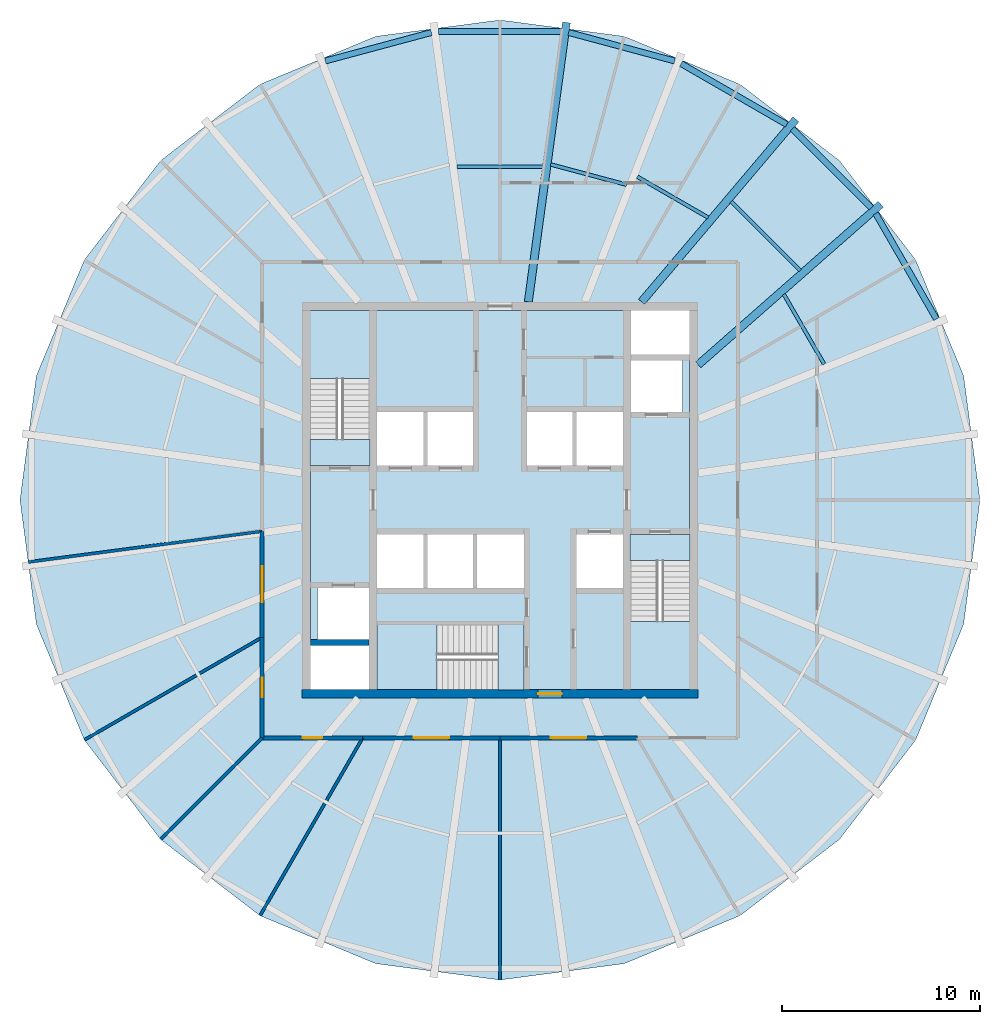
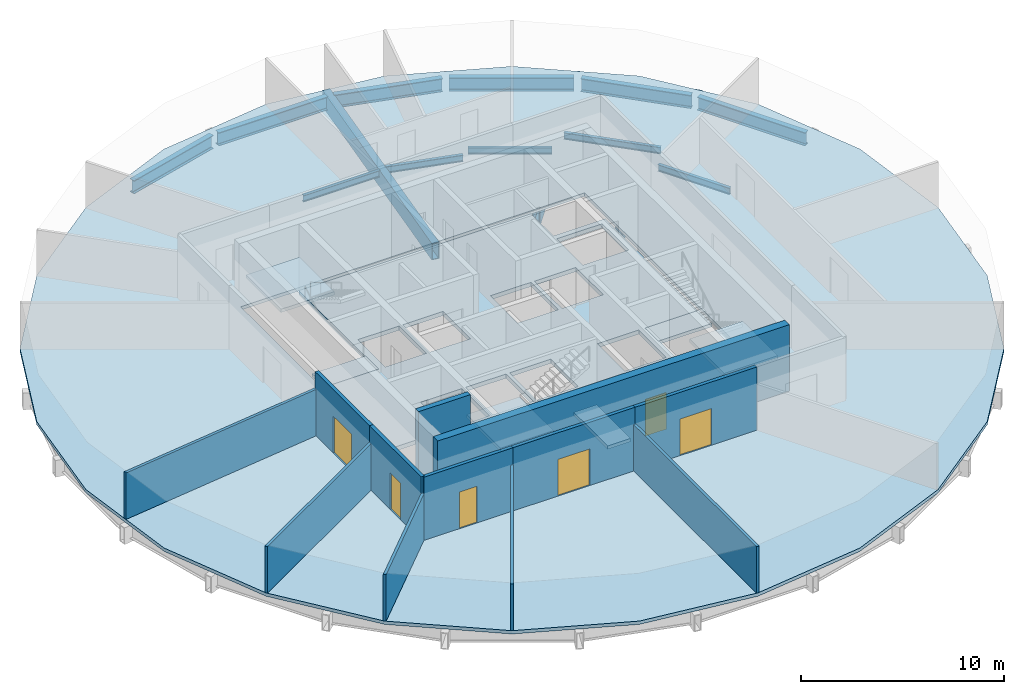
# One storey, part 2 of 6: 14 beams, 12 walls, 8 slabs, 6 doors, 6 openings, 3 elements without a shape of their own.
"""IFC4 building model written with IfcOpenShell, lengths in metres."""

from ifc_helpers import new_model, si_unit, direction, frame, frame_2d, origin, origin_2d, place, context, subcontext, project, spatial, polyline, rectangle, hollow_rectangle, i_section, outline, extrude, material, layer, layer_set, material_profile, profile_set, type_object, element, fill, aggregate, save


model = new_model("IFC4")

# Units and contexts
model_context = context("Model", 3, precision=1e-05, world=origin(), true_north=direction((0.0, 1.0)))
body_context = subcontext(model_context, "Body", "Model", "MODEL_VIEW")
ifc_project = project(units=[si_unit("LENGTHUNIT", "METRE"), si_unit("AREAUNIT", "SQUARE_METRE"), si_unit("VOLUMEUNIT", "CUBIC_METRE"), si_unit("PLANEANGLEUNIT", "RADIAN"), si_unit("MASSUNIT", "GRAM", prefix="KILO")], contexts=[model_context])

# Site, building, storey
site_placement = place(None, origin())
site = spatial("IfcSite", under=ifc_project, at=site_placement, CompositionType="ELEMENT")
building_placement = place(site_placement, origin())
building = spatial("IfcBuilding", under=site, at=building_placement, Name="Golbaran Civic Tower", CompositionType="ELEMENT")
storey_placement = place(building_placement, frame((0.0, 0.0, 159.0)))
storey = spatial("IfcBuildingStorey", under=building, at=storey_placement, Name="L38", CompositionType="ELEMENT", Elevation=159.0)

# Beams
ifc_material_1 = material(Name="Steel S355", Category="steel")
ifc_material_profile_1 = material_profile(ifc_material_1, i_section(OverallWidth=0.300048828125, OverallDepth=0.800048828125, WebThickness=0.017578125, FlangeThickness=0.032958984375, FilletRadius=0.030029296875, at=origin_2d()), Name="HEB 800")
ifc_profile_set_1 = profile_set([ifc_material_profile_1], Name="Steel S355")
beam_type_1 = type_object("IfcBeamType", Name="EDGE BEAM HEB 800", PredefinedType="BEAM", material=ifc_profile_set_1)
beam_1_placement = place(storey_placement, frame((22.02197265625, 9.131103515625, -0.60009765625), z_axis=(-0.498909281088, 0.8666542155, 0.0), x_axis=(-0.8666542155, -0.498909281088, 0.0)))
element("IfcBeam", 1, at=beam_1_placement, inside=storey, type_object=beam_type_1, Name="Edge beam 22.08 L38", PredefinedType="BEAM", context=body_context, shape_type="SweptSolid", body=[
    extrude(i_section(OverallWidth=0.300048828125, OverallDepth=0.800048828125, WebThickness=0.017578125, FlangeThickness=0.032958984375, FilletRadius=0.030029296875, at=origin_2d()), origin(), (0.0, 0.0, 1.0), 6.144287109375),
])
beam_2_placement = place(storey_placement, frame((18.737548828125, 14.742919921875, -0.60009765625), z_axis=(-0.706824793148, 0.707388656815, 0.0), x_axis=(-0.707388656815, -0.706824793148, 0.0)))
element("IfcBeam", 2, at=beam_2_placement, inside=storey, type_object=beam_type_1, Name="Edge beam 37.92 L38", PredefinedType="BEAM", context=body_context, shape_type="SweptSolid", body=[
    extrude(i_section(OverallWidth=0.300048828125, OverallDepth=0.800048828125, WebThickness=0.017578125, FlangeThickness=0.032958984375, FilletRadius=0.030029296875, at=origin_2d()), origin(), (0.0, 0.0, 1.0), 5.628662109375),
])
beam_3_placement = place(storey_placement, frame((14.472900390625, 18.94384765625, -0.60009765625), z_axis=(-0.866307134844, 0.499511709691, 0.0), x_axis=(-0.499511709691, -0.866307134844, 0.0)))
element("IfcBeam", 3, at=beam_3_placement, inside=storey, type_object=beam_type_1, Name="Edge beam 52.08 L38", PredefinedType="BEAM", context=body_context, shape_type="SweptSolid", body=[
    extrude(i_section(OverallWidth=0.300048828125, OverallDepth=0.800048828125, WebThickness=0.017578125, FlangeThickness=0.032958984375, FilletRadius=0.030029296875, at=origin_2d()), origin(), (0.0, 0.0, 1.0), 6.151611328125),
])
beam_4_placement = place(storey_placement, frame((8.811279296875, 22.154541015625, -0.60009765625), z_axis=(-0.965829642791, 0.259177740377, 0.0), x_axis=(-0.259177740377, -0.965829642791, 0.0)))
element("IfcBeam", 4, at=beam_4_placement, inside=storey, type_object=beam_type_1, Name="Edge beam 67.92 L38", PredefinedType="BEAM", context=body_context, shape_type="SweptSolid", body=[
    extrude(i_section(OverallWidth=0.300048828125, OverallDepth=0.800048828125, WebThickness=0.017578125, FlangeThickness=0.032958984375, FilletRadius=0.030029296875, at=origin_2d()), origin(), (0.0, 0.0, 1.0), 5.53515625),
])
beam_5_placement = place(storey_placement, frame((3.1083984375, 23.63623046875, -0.60009765625), z_axis=(-1.0, 0.0, 0.0), x_axis=(0.0, -1.0, 0.0)))
element("IfcBeam", 5, at=beam_5_placement, inside=storey, type_object=beam_type_1, Name="Edge beam 82.08 L38", PredefinedType="BEAM", context=body_context, shape_type="SweptSolid", body=[
    extrude(i_section(OverallWidth=0.300048828125, OverallDepth=0.800048828125, WebThickness=0.017578125, FlangeThickness=0.032958984375, FilletRadius=0.030029296875, at=origin_2d()), origin(), (0.0, 0.0, 1.0), 6.216796875),
])
beam_6_placement = place(storey_placement, frame((-3.46533203125, 23.589111328125, -0.60009765625), z_axis=(-0.965829642791, -0.259177740377, 0.0), x_axis=(0.259177740377, -0.965829642791, 0.0)))
element("IfcBeam", 6, at=beam_6_placement, inside=storey, type_object=beam_type_1, Name="Edge beam 97.92 L38", PredefinedType="BEAM", context=body_context, shape_type="SweptSolid", body=[
    extrude(i_section(OverallWidth=0.300048828125, OverallDepth=0.800048828125, WebThickness=0.017578125, FlangeThickness=0.032958984375, FilletRadius=0.030029296875, at=origin_2d()), origin(), (0.0, 0.0, 1.0), 5.53515625),
])
ifc_material_profile_2 = material_profile(ifc_material_1, i_section(OverallWidth=0.179931640625, OverallDepth=0.39990234375, WebThickness=0.008544921875, FlangeThickness=0.013427734375, FilletRadius=0.02099609375, at=origin_2d()), Name="IPE 400")
ifc_profile_set_2 = profile_set([ifc_material_profile_2], Name="Steel S355")
beam_type_2 = type_object("IfcBeamType", Name="FLOOR INFILL BEAM IPE 400", PredefinedType="BEAM", material=ifc_profile_set_2)
beam_7_placement = place(storey_placement, frame((16.361083984375, 6.85009765625, -0.39990234375), z_axis=(-0.500028214158, 0.86600911372, 0.0), x_axis=(-0.86600911372, -0.500028214158, 0.0)))
element("IfcBeam", 7, at=beam_7_placement, inside=storey, type_object=beam_type_2, Name="Infill beam 30.00 L38", PredefinedType="BEAM", context=body_context, shape_type="SweptSolid", body=[
    extrude(i_section(OverallWidth=0.179931640625, OverallDepth=0.39990234375, WebThickness=0.008544921875, FlangeThickness=0.013427734375, FilletRadius=0.02099609375, at=origin_2d()), origin(), (0.0, 0.0, 1.0), 4.077880859375),
])
beam_8_placement = place(storey_placement, frame((15.151123046875, 11.58984375, -0.39990234375), z_axis=(-0.707081991733, 0.707131569772, 0.0), x_axis=(-0.707131569772, -0.707081991733, 0.0)))
element("IfcBeam", 8, at=beam_8_placement, inside=storey, type_object=beam_type_2, Name="Infill beam 45.00 L38", PredefinedType="BEAM", context=body_context, shape_type="SweptSolid", body=[
    extrude(i_section(OverallWidth=0.179931640625, OverallDepth=0.39990234375, WebThickness=0.008544921875, FlangeThickness=0.013427734375, FilletRadius=0.02099609375, at=origin_2d()), origin(), (0.0, 0.0, 1.0), 4.92431640625),
])
beam_9_placement = place(storey_placement, frame((10.50341796875, 14.25146484375, -0.39990234375), z_axis=(-0.866027928545, 0.499995626961, 0.0), x_axis=(-0.499995626961, -0.866027928545, 0.0)))
element("IfcBeam", 9, at=beam_9_placement, inside=storey, type_object=beam_type_2, Name="Infill beam 60.00 L38", PredefinedType="BEAM", context=body_context, shape_type="SweptSolid", body=[
    extrude(i_section(OverallWidth=0.179931640625, OverallDepth=0.39990234375, WebThickness=0.008544921875, FlangeThickness=0.013427734375, FilletRadius=0.02099609375, at=origin_2d()), origin(), (0.0, 0.0, 1.0), 4.1259765625),
])
beam_10_placement = place(storey_placement, frame((6.385498046875, 15.90625, -0.39990234375), z_axis=(-0.965929632268, 0.258804840578, 0.0), x_axis=(-0.258804840578, -0.965929632268, 0.0)))
element("IfcBeam", 10, at=beam_10_placement, inside=storey, type_object=beam_type_2, Name="Infill beam 75.00 L38", PredefinedType="BEAM", context=body_context, shape_type="SweptSolid", body=[
    extrude(i_section(OverallWidth=0.179931640625, OverallDepth=0.39990234375, WebThickness=0.008544921875, FlangeThickness=0.013427734375, FilletRadius=0.02099609375, at=origin_2d()), origin(), (0.0, 0.0, 1.0), 3.9638671875),
])
beam_11_placement = place(storey_placement, frame((2.177734375, 16.818115234375, -0.39990234375), z_axis=(-1.0, 0.0, 0.0), x_axis=(0.0, -1.0, 0.0)))
element("IfcBeam", 11, at=beam_11_placement, inside=storey, type_object=beam_type_2, Name="Infill beam 90.00 L38", PredefinedType="BEAM", context=body_context, shape_type="SweptSolid", body=[
    extrude(i_section(OverallWidth=0.179931640625, OverallDepth=0.39990234375, WebThickness=0.008544921875, FlangeThickness=0.013427734375, FilletRadius=0.02099609375, at=origin_2d()), origin(), (0.0, 0.0, 1.0), 4.35546875),
])
ifc_material_profile_3 = material_profile(ifc_material_1, hollow_rectangle(XDim=0.39990234375, YDim=1.0, WallThickness=0.050048828125, at=origin_2d()), Name="BOX 1000x400x50")
ifc_profile_set_3 = profile_set([ifc_material_profile_3], Name="Steel S355")
beam_type_3 = type_object("IfcBeamType", Name="RADIAL FLOOR BEAM BOX 1000x400x50", PredefinedType="BEAM", material=ifc_profile_set_3)
beam_12_placement = place(storey_placement, frame((10.0, 6.821533203125, -0.7099609375), z_axis=(0.751024067787, 0.660274828843, 0.0), x_axis=(-0.660274828843, 0.751024067787, 0.0)))
element("IfcBeam", 12, at=beam_12_placement, inside=storey, type_object=beam_type_3, Name="Radial beam 37.92 L38", PredefinedType="BEAM", context=body_context, shape_type="SweptSolid", body=[
    extrude(hollow_rectangle(XDim=0.39990234375, YDim=1.0, WallThickness=0.050048828125, at=origin_2d()), origin(), (0.0, 0.0, 1.0), 12.270263671875),
])
beam_13_placement = place(storey_placement, frame((7.142822265625, 10.0, -0.7099609375), z_axis=(0.645841511246, 0.76347150723, 0.0), x_axis=(-0.76347150723, 0.645841511246, 0.0)))
element("IfcBeam", 13, at=beam_13_placement, inside=storey, type_object=beam_type_3, Name="Radial beam 52.08 L38", PredefinedType="BEAM", context=body_context, shape_type="SweptSolid", body=[
    extrude(hollow_rectangle(XDim=0.39990234375, YDim=1.0, WallThickness=0.050048828125, at=origin_2d()), origin(), (0.0, 0.0, 1.0), 12.060791015625),
])
beam_14_placement = place(storey_placement, frame((1.428466796875, 10.0, -0.7099609375), z_axis=(0.135270948162, 0.990808644786, 0.0), x_axis=(-0.990808644786, 0.135270948162, 0.0)))
element("IfcBeam", 14, at=beam_14_placement, inside=storey, type_object=beam_type_3, Name="Radial beam 82.08 L38", PredefinedType="BEAM", context=body_context, shape_type="SweptSolid", body=[
    extrude(hollow_rectangle(XDim=0.39990234375, YDim=1.0, WallThickness=0.050048828125, at=origin_2d()), origin(), (0.0, 0.0, 1.0), 14.2275390625),
])

# Slabs
ifc_material_2 = material(Name="Concrete LC30/33 lightweight on steel deck", Category="concrete")
ifc_layer_1 = layer(ifc_material_2, 0.199951171875, Name="Concrete LC30/33 lightweight on steel deck")
ifc_layer_set_1 = layer_set([ifc_layer_1], Name="Concrete LC30/33 lightweight on steel deck")
slab_type_1 = type_object("IfcSlabType", Name="COMPOSITE FLOOR SLAB 200", PredefinedType="FLOOR", material=ifc_layer_set_1)
slab_1_placement = place(storey_placement, frame((0.0, 0.0, -0.199951171875)))
element("IfcSlab", 15, at=slab_1_placement, inside=storey, type_object=slab_type_1, Name="Floor slab L38", PredefinedType="FLOOR", context=body_context, shape_type="SweptSolid", body=[
    extrude(outline(polyline([(20.976318359375, -12.110595703125), (17.126953125, -17.126953125), (12.110595703125, -20.976318359375), (6.26904296875, -23.39599609375), (0.0, -24.22119140625), (-6.26904296875, -23.39599609375), (-12.110595703125, -20.976318359375), (-17.126953125, -17.126953125), (-20.976318359375, -12.110595703125), (-23.39599609375, -6.26904296875), (-24.22119140625, 0.0), (-23.39599609375, 6.26904296875), (-20.976318359375, 12.110595703125), (-17.126953125, 17.126953125), (-12.110595703125, 20.976318359375), (-6.26904296875, 23.39599609375), (0.0, 24.22119140625), (6.26904296875, 23.39599609375), (12.110595703125, 20.976318359375), (17.126953125, 17.126953125), (20.976318359375, 12.110595703125), (23.39599609375, 6.26904296875), (24.22119140625, 0.0), (23.39599609375, -6.26904296875), (20.976318359375, -12.110595703125)]), holes=[polyline([(-9.77490234375, 9.77490234375), (-9.77490234375, -9.77490234375), (9.77490234375, -9.77490234375), (9.77490234375, 9.77490234375), (-9.77490234375, 9.77490234375)])]), origin(), (0.0, 0.0, 1.0), 0.199951171875),
])
ifc_material_3 = material(Name="Concrete C35/45", Category="concrete")
ifc_layer_2 = layer(ifc_material_3, 0.25, Name="Concrete C35/45")
ifc_layer_set_2 = layer_set([ifc_layer_2], Name="Concrete C35/45")
slab_type_2 = type_object("IfcSlabType", Name="CORE FLOOR SLAB 250", PredefinedType="FLOOR", material=ifc_layer_set_2)
slab_2_placement = place(storey_placement, frame((0.0, 0.0, -0.25)))
element("IfcSlab", 16, at=slab_2_placement, inside=storey, type_object=slab_type_2, Name="Core floor slab L38", PredefinedType="FLOOR", context=body_context, shape_type="SweptSolid", body=[
    extrude(outline(polyline([(6.60009765625, -1.75), (6.60009765625, -9.550048828125), (1.199951171875, -9.550048828125), (1.199951171875, -6.300048828125), (-6.199951171875, -6.300048828125), (-6.199951171875, -9.550048828125), (-6.60009765625, -9.550048828125), (-6.60009765625, -7.35009765625), (-9.550048828125, -7.35009765625), (-9.550048828125, 1.75), (-6.60009765625, 1.75), (-6.60009765625, 9.550048828125), (6.60009765625, 9.550048828125), (6.60009765625, 7.35009765625), (9.550048828125, 7.35009765625), (9.550048828125, -1.75), (6.60009765625, -1.75)]), holes=[polyline([(9.199951171875, 7.050048828125), (6.60009765625, 7.050048828125), (6.60009765625, 4.449951171875), (9.199951171875, 4.449951171875), (9.199951171875, 7.050048828125)]), polyline([(6.199951171875, -1.75), (3.85009765625, -1.75), (3.85009765625, -4.449951171875), (6.199951171875, -4.449951171875), (6.199951171875, -1.75)]), polyline([(6.199951171875, 4.449951171875), (3.85009765625, 4.449951171875), (3.85009765625, 1.75), (6.199951171875, 1.75), (6.199951171875, 4.449951171875)]), polyline([(3.64990234375, 4.449951171875), (1.35009765625, 4.449951171875), (1.35009765625, 1.75), (3.64990234375, 1.75), (3.64990234375, 4.449951171875)]), polyline([(1.199951171875, -1.75), (-1.14990234375, -1.75), (-1.14990234375, -4.449951171875), (1.199951171875, -4.449951171875), (1.199951171875, -1.75)]), polyline([(-1.35009765625, 4.449951171875), (-3.64990234375, 4.449951171875), (-3.64990234375, 1.75), (-1.35009765625, 1.75), (-1.35009765625, 4.449951171875)]), polyline([(-1.35009765625, -1.75), (-3.64990234375, -1.75), (-3.64990234375, -4.449951171875), (-1.35009765625, -4.449951171875), (-1.35009765625, -1.75)]), polyline([(-3.85009765625, -1.75), (-6.199951171875, -1.75), (-6.199951171875, -4.449951171875), (-3.85009765625, -4.449951171875), (-3.85009765625, -1.75)]), polyline([(-3.85009765625, 4.449951171875), (-6.199951171875, 4.449951171875), (-6.199951171875, 1.75), (-3.85009765625, 1.75), (-3.85009765625, 4.449951171875)]), polyline([(-6.60009765625, -4.449951171875), (-9.199951171875, -4.449951171875), (-9.199951171875, -7.050048828125), (-6.60009765625, -7.050048828125), (-6.60009765625, -4.449951171875)])]), origin(), (0.0, 0.0, 1.0), 0.25),
])

# Stair, slab
stair_type_1 = type_object("IfcStairType", Name="EXIT STAIR 2950 x 7800, 4000 RISE", PredefinedType="HALF_TURN_STAIR", material=ifc_material_3)
stair_1_placement = place(storey_placement, origin())
stair_1 = element("IfcStair", 17, at=stair_1_placement, inside=storey, type_object=stair_type_1, Name="Stair S1 L38", PredefinedType="HALF_TURN_STAIR")
ifc_layer_3 = layer(ifc_material_3, 0.199951171875, Name="Concrete C35/45")
ifc_layer_set_3 = layer_set([ifc_layer_3], Name="Concrete C35/45")
slab_type_3 = type_object("IfcSlabType", Name="STAIR LANDING 200", PredefinedType="LANDING", material=ifc_layer_set_3)
slab_3_placement = place(storey_placement, frame((0.0, 0.0, 1.800048828125)))
slab_3 = element("IfcSlab", 18, at=slab_3_placement, type_object=slab_type_3, Name="ST29578-40 landing 1", PredefinedType="LANDING", context=body_context, shape_type="SweptSolid", body=[
    extrude(outline(polyline([(-9.60009765625, 6.125), (-9.60009765625, 9.550048828125), (-6.550048828125, 9.550048828125), (-6.550048828125, 6.125), (-9.60009765625, 6.125)])), origin(), (0.0, 0.0, 1.0), 0.199951171875),
])
aggregate(stair_1, [slab_3])

# Slab
slab_4_placement = place(storey_placement, frame((0.0, 0.0, -0.199951171875)))
element("IfcSlab", 19, at=slab_4_placement, inside=storey, type_object=slab_type_3, Name="Stair S1 floor landing L38", PredefinedType="LANDING", context=body_context, shape_type="SweptSolid", body=[
    extrude(outline(polyline([(-9.60009765625, 1.75), (-9.60009765625, 3.054931640625), (-6.550048828125, 3.054931640625), (-6.550048828125, 1.75), (-9.60009765625, 1.75)])), origin(), (0.0, 0.0, 1.0), 0.199951171875),
])

# Stair, slab
stair_2_placement = place(storey_placement, origin())
stair_2 = element("IfcStair", 20, at=stair_2_placement, inside=storey, type_object=stair_type_1, Name="Stair S2 L38", PredefinedType="HALF_TURN_STAIR")
slab_5_placement = place(storey_placement, frame((0.0, 0.0, 1.800048828125)))
slab_5 = element("IfcSlab", 21, at=slab_5_placement, type_object=slab_type_3, Name="ST29578-40 landing 1", PredefinedType="LANDING", context=body_context, shape_type="SweptSolid", body=[
    extrude(outline(polyline([(9.60009765625, -6.125), (9.60009765625, -9.550048828125), (6.550048828125, -9.550048828125), (6.550048828125, -6.125), (9.60009765625, -6.125)])), origin(), (0.0, 0.0, 1.0), 0.199951171875),
])
aggregate(stair_2, [slab_5])

# Slab
slab_6_placement = place(storey_placement, frame((0.0, 0.0, -0.199951171875)))
element("IfcSlab", 22, at=slab_6_placement, inside=storey, type_object=slab_type_3, Name="Stair S2 floor landing L38", PredefinedType="LANDING", context=body_context, shape_type="SweptSolid", body=[
    extrude(outline(polyline([(9.60009765625, -1.75), (9.60009765625, -3.054931640625), (6.550048828125, -3.054931640625), (6.550048828125, -1.75), (9.60009765625, -1.75)])), origin(), (0.0, 0.0, 1.0), 0.199951171875),
])

# Stair, slab
stair_type_2 = type_object("IfcStairType", Name="EXIT STAIR 3250 x 7400, 4000 RISE", PredefinedType="HALF_TURN_STAIR", material=ifc_material_3)
stair_3_placement = place(storey_placement, origin())
stair_3 = element("IfcStair", 23, at=stair_3_placement, inside=storey, type_object=stair_type_2, Name="Stair S3 L38", PredefinedType="HALF_TURN_STAIR")
slab_7_placement = place(storey_placement, frame((0.0, 0.0, 1.800048828125)))
slab_7 = element("IfcSlab", 24, at=slab_7_placement, type_object=slab_type_3, Name="ST32574-40 landing 1", PredefinedType="LANDING", context=body_context, shape_type="SweptSolid", body=[
    extrude(outline(polyline([(-3.175048828125, -9.60009765625), (-6.199951171875, -9.60009765625), (-6.199951171875, -6.25), (-3.175048828125, -6.25), (-3.175048828125, -9.60009765625)])), origin(), (0.0, 0.0, 1.0), 0.199951171875),
])
aggregate(stair_3, [slab_7])

# Slab
slab_8_placement = place(storey_placement, frame((0.0, 0.0, -0.199951171875)))
element("IfcSlab", 25, at=slab_8_placement, inside=storey, type_object=slab_type_3, Name="Stair S3 floor landing L38", PredefinedType="LANDING", context=body_context, shape_type="SweptSolid", body=[
    extrude(outline(polyline([(1.199951171875, -9.60009765625), (-0.10498046875, -9.60009765625), (-0.10498046875, -6.25), (1.199951171875, -6.25), (1.199951171875, -9.60009765625)])), origin(), (0.0, 0.0, 1.0), 0.199951171875),
])

# Wall, opening, door
ifc_material_4 = material(Name="Concrete C50/60", Category="concrete")
ifc_layer_4 = layer(ifc_material_4, 0.449951171875, Name="Concrete C50/60")
ifc_layer_set_4 = layer_set([ifc_layer_4], Name="Concrete C50/60")
wall_type_1 = type_object("IfcWallType", Name="CORE WALL CONCRETE 450", PredefinedType="SOLIDWALL", material=ifc_layer_set_4)
wall_1_placement = place(storey_placement, frame((10.0, -9.77490234375, 0.0), z_axis=(0.0, 0.0, 1.0), x_axis=(-1.0, 0.0, 0.0)))
wall_1 = element("IfcWall", 26, at=wall_1_placement, inside=storey, type_object=wall_type_1, Name="Core wall CS L38", PredefinedType="SOLIDWALL", context=body_context, shape_type="SweptSolid", body=[
    extrude(rectangle(XDim=20.0, YDim=0.449951171875, at=frame_2d((10.0, 0.0))), origin(), (0.0, 0.0, 1.0), 4.0),
])
opening_1_placement = place(wall_1_placement, frame((6.875, 0.0, 0.0)))
opening_1 = element("IfcOpeningElement", 27, at=opening_1_placement, cuts=wall_1, Name="Opening L38.CS", PredefinedType="OPENING", context=body_context, shape_type="SweptSolid", body=[
    extrude(rectangle(XDim=1.199951171875, YDim=2.199951171875, at=frame_2d((0.60009765625, 1.10009765625))), frame((0.0, 0.23486328125, 0.0), z_axis=(0.0, -1.0, 0.0), x_axis=(1.0, 0.0, 0.0)), (0.0, 0.0, 1.0), 0.469970703125),
])
ifc_material_5 = material(Name="Timber door set in steel frame", Category="steel")
door_type_1 = type_object("IfcDoorType", Name="CORE DOOR 1200x2200", OperationType="DOUBLE_DOOR_SINGLE_SWING", PredefinedType="DOOR", material=ifc_material_5)
door_1_placement = place(opening_1_placement, origin())
door_1 = element("IfcDoor", 28, at=door_1_placement, inside=storey, type_object=door_type_1, Name="Core door south", OperationType="DOUBLE_DOOR_SINGLE_SWING", OverallHeight=2.199951171875, OverallWidth=1.199951171875, PredefinedType="DOOR", context=body_context, shape_type="SweptSolid", body=[
    extrude(rectangle(XDim=1.199951171875, YDim=2.199951171875, at=frame_2d((0.60009765625, 1.10009765625))), frame((0.0, 0.02490234375, 0.0), z_axis=(0.0, -1.0, 0.0), x_axis=(1.0, 0.0, 0.0)), (0.0, 0.0, 1.0), 0.050048828125),
])
fill(opening_1, door_1)

ifc_material_6 = material(Name="Gypsum board on steel studs, fire-rated", Category="steel")
ifc_layer_5 = layer(ifc_material_6, 0.199951171875, Name="Gypsum board on steel studs, fire-rated")
ifc_layer_set_5 = layer_set([ifc_layer_5], Name="Gypsum board on steel studs, fire-rated")
wall_type_2 = type_object("IfcWallType", Name="CORRIDOR WALL 200", PredefinedType="PARTITIONING", material=ifc_layer_set_5)
wall_2_placement = place(storey_placement, frame((-12.0, -1.579833984375, 0.0), z_axis=(0.0, 0.0, 1.0), x_axis=(0.0, -1.0, 0.0)))
wall_2 = element("IfcWall", 29, at=wall_2_placement, inside=storey, type_object=wall_type_2, Name="Corridor wall L38", PredefinedType="PARTITIONING", context=body_context, shape_type="SweptSolid", body=[
    extrude(rectangle(XDim=5.348388671875, YDim=0.199951171875, at=frame_2d((2.67431640625, 0.0))), origin(), (0.0, 0.0, 1.0), 3.800048828125),
])
opening_2_placement = place(wall_2_placement, frame((1.774169921875, 0.0, 0.0)))
opening_2 = element("IfcOpeningElement", 30, at=opening_2_placement, cuts=wall_2, Name="Opening L38.13", PredefinedType="OPENING", context=body_context, shape_type="SweptSolid", body=[
    extrude(rectangle(XDim=1.800048828125, YDim=2.199951171875, at=frame_2d((0.89990234375, 1.10009765625))), frame((0.0, 0.10986328125, 0.0), z_axis=(0.0, -1.0, 0.0), x_axis=(1.0, 0.0, 0.0)), (0.0, 0.0, 1.0), 0.219970703125),
])
door_type_2 = type_object("IfcDoorType", Name="OFFICE DOUBLE DOOR 1800x2200", OperationType="DOUBLE_DOOR_SINGLE_SWING", PredefinedType="DOOR", material=ifc_material_5)
door_2_placement = place(opening_2_placement, origin())
door_2 = element("IfcDoor", 31, at=door_2_placement, inside=storey, type_object=door_type_2, Name="Data and Statistics Office door L38", OperationType="DOUBLE_DOOR_SINGLE_SWING", OverallHeight=2.199951171875, OverallWidth=1.800048828125, PredefinedType="DOOR", context=body_context, shape_type="SweptSolid", body=[
    extrude(rectangle(XDim=1.800048828125, YDim=2.199951171875, at=frame_2d((0.89990234375, 1.10009765625))), frame((0.0, 0.02490234375, 0.0), z_axis=(0.0, -1.0, 0.0), x_axis=(1.0, 0.0, 0.0)), (0.0, 0.0, 1.0), 0.050048828125),
])
fill(opening_2, door_2)

wall_3_placement = place(storey_placement, frame((-12.0, -6.92822265625, 0.0), z_axis=(0.0, 0.0, 1.0), x_axis=(0.0, -1.0, 0.0)))
wall_3 = element("IfcWall", 32, at=wall_3_placement, inside=storey, type_object=wall_type_2, Name="Corridor wall L38", PredefinedType="PARTITIONING", context=body_context, shape_type="SweptSolid", body=[
    extrude(rectangle(XDim=5.07177734375, YDim=0.199951171875, at=frame_2d((2.535888671875, 0.0))), origin(), (0.0, 0.0, 1.0), 3.800048828125),
])
opening_3_placement = place(wall_3_placement, frame((2.035888671875, 0.0, 0.0)))
opening_3 = element("IfcOpeningElement", 33, at=opening_3_placement, cuts=wall_3, Name="Opening L38.14", PredefinedType="OPENING", context=body_context, shape_type="SweptSolid", body=[
    extrude(rectangle(XDim=1.0, YDim=2.199951171875, at=frame_2d((0.5, 1.10009765625))), frame((0.0, 0.10986328125, 0.0), z_axis=(0.0, -1.0, 0.0), x_axis=(1.0, 0.0, 0.0)), (0.0, 0.0, 1.0), 0.219970703125),
])
door_type_3 = type_object("IfcDoorType", Name="OFFICE DOOR 1000x2200", OperationType="SINGLE_SWING_LEFT", PredefinedType="DOOR", material=ifc_material_5)
door_3_placement = place(opening_3_placement, origin())
door_3 = element("IfcDoor", 34, at=door_3_placement, inside=storey, type_object=door_type_3, Name="Project Room door L38", OperationType="SINGLE_SWING_RIGHT", OverallHeight=2.199951171875, OverallWidth=1.0, PredefinedType="DOOR", context=body_context, shape_type="SweptSolid", body=[
    extrude(rectangle(XDim=1.0, YDim=2.199951171875, at=frame_2d((0.5, 1.10009765625))), frame((0.0, 0.02490234375, 0.0), z_axis=(0.0, -1.0, 0.0), x_axis=(1.0, 0.0, 0.0)), (0.0, 0.0, 1.0), 0.050048828125),
])
fill(opening_3, door_3)

wall_4_placement = place(storey_placement, frame((-12.0, -12.0, 0.0), z_axis=(0.0, 0.0, 1.0), x_axis=(1.0, 0.0, 0.0)))
wall_4 = element("IfcWall", 35, at=wall_4_placement, inside=storey, type_object=wall_type_2, Name="Corridor wall L38", PredefinedType="PARTITIONING", context=body_context, shape_type="SweptSolid", body=[
    extrude(rectangle(XDim=5.07177734375, YDim=0.199951171875, at=frame_2d((2.535888671875, 0.0))), origin(), (0.0, 0.0, 1.0), 3.800048828125),
])
opening_4_placement = place(wall_4_placement, frame((2.035888671875, 0.0, 0.0)))
opening_4 = element("IfcOpeningElement", 36, at=opening_4_placement, cuts=wall_4, Name="Opening L38.15", PredefinedType="OPENING", context=body_context, shape_type="SweptSolid", body=[
    extrude(rectangle(XDim=1.0, YDim=2.199951171875, at=frame_2d((0.5, 1.10009765625))), frame((0.0, 0.10986328125, 0.0), z_axis=(0.0, -1.0, 0.0), x_axis=(1.0, 0.0, 0.0)), (0.0, 0.0, 1.0), 0.219970703125),
])
door_4_placement = place(opening_4_placement, origin())
door_4 = element("IfcDoor", 37, at=door_4_placement, inside=storey, type_object=door_type_3, Name="Interview Room door L38", OperationType="SINGLE_SWING_LEFT", OverallHeight=2.199951171875, OverallWidth=1.0, PredefinedType="DOOR", context=body_context, shape_type="SweptSolid", body=[
    extrude(rectangle(XDim=1.0, YDim=2.199951171875, at=frame_2d((0.5, 1.10009765625))), frame((0.0, 0.02490234375, 0.0), z_axis=(0.0, -1.0, 0.0), x_axis=(1.0, 0.0, 0.0)), (0.0, 0.0, 1.0), 0.050048828125),
])
fill(opening_4, door_4)

wall_5_placement = place(storey_placement, frame((-6.92822265625, -12.0, 0.0), z_axis=(0.0, 0.0, 1.0), x_axis=(1.0, 0.0, 0.0)))
wall_5 = element("IfcWall", 38, at=wall_5_placement, inside=storey, type_object=wall_type_2, Name="Corridor wall L38", PredefinedType="PARTITIONING", context=body_context, shape_type="SweptSolid", body=[
    extrude(rectangle(XDim=6.92822265625, YDim=0.199951171875, at=frame_2d((3.464111328125, 0.0))), origin(), (0.0, 0.0, 1.0), 3.800048828125),
])
opening_5_placement = place(wall_5_placement, frame((2.564208984375, 0.0, 0.0)))
opening_5 = element("IfcOpeningElement", 39, at=opening_5_placement, cuts=wall_5, Name="Opening L38.16", PredefinedType="OPENING", context=body_context, shape_type="SweptSolid", body=[
    extrude(rectangle(XDim=1.800048828125, YDim=2.199951171875, at=frame_2d((0.89990234375, 1.10009765625))), frame((0.0, 0.10986328125, 0.0), z_axis=(0.0, -1.0, 0.0), x_axis=(1.0, 0.0, 0.0)), (0.0, 0.0, 1.0), 0.219970703125),
])
door_5_placement = place(opening_5_placement, origin())
door_5 = element("IfcDoor", 40, at=door_5_placement, inside=storey, type_object=door_type_2, Name="GIS and Mapping Office door L38", OperationType="DOUBLE_DOOR_SINGLE_SWING", OverallHeight=2.199951171875, OverallWidth=1.800048828125, PredefinedType="DOOR", context=body_context, shape_type="SweptSolid", body=[
    extrude(rectangle(XDim=1.800048828125, YDim=2.199951171875, at=frame_2d((0.89990234375, 1.10009765625))), frame((0.0, 0.02490234375, 0.0), z_axis=(0.0, -1.0, 0.0), x_axis=(1.0, 0.0, 0.0)), (0.0, 0.0, 1.0), 0.050048828125),
])
fill(opening_5, door_5)

wall_6_placement = place(storey_placement, frame((0.0, -12.0, 0.0), z_axis=(0.0, 0.0, 1.0), x_axis=(1.0, 0.0, 0.0)))
wall_6 = element("IfcWall", 41, at=wall_6_placement, inside=storey, type_object=wall_type_2, Name="Corridor wall L38", PredefinedType="PARTITIONING", context=body_context, shape_type="SweptSolid", body=[
    extrude(rectangle(XDim=6.92822265625, YDim=0.199951171875, at=frame_2d((3.464111328125, 0.0))), origin(), (0.0, 0.0, 1.0), 3.800048828125),
])
opening_6_placement = place(wall_6_placement, frame((2.564208984375, 0.0, 0.0)))
opening_6 = element("IfcOpeningElement", 42, at=opening_6_placement, cuts=wall_6, Name="Opening L38.17", PredefinedType="OPENING", context=body_context, shape_type="SweptSolid", body=[
    extrude(rectangle(XDim=1.800048828125, YDim=2.199951171875, at=frame_2d((0.89990234375, 1.10009765625))), frame((0.0, 0.10986328125, 0.0), z_axis=(0.0, -1.0, 0.0), x_axis=(1.0, 0.0, 0.0)), (0.0, 0.0, 1.0), 0.219970703125),
])
door_6_placement = place(opening_6_placement, origin())
door_6 = element("IfcDoor", 43, at=door_6_placement, inside=storey, type_object=door_type_2, Name="GIS and Mapping Office door L38", OperationType="DOUBLE_DOOR_SINGLE_SWING", OverallHeight=2.199951171875, OverallWidth=1.800048828125, PredefinedType="DOOR", context=body_context, shape_type="SweptSolid", body=[
    extrude(rectangle(XDim=1.800048828125, YDim=2.199951171875, at=frame_2d((0.89990234375, 1.10009765625))), frame((0.0, 0.02490234375, 0.0), z_axis=(0.0, -1.0, 0.0), x_axis=(1.0, 0.0, 0.0)), (0.0, 0.0, 1.0), 0.050048828125),
])
fill(opening_6, door_6)

# Walls
ifc_material_7 = material(Name="Gypsum board on steel studs", Category="steel")
ifc_layer_6 = layer(ifc_material_7, 0.14990234375, Name="Gypsum board on steel studs")
ifc_layer_set_6 = layer_set([ifc_layer_6], Name="Gypsum board on steel studs")
wall_type_3 = type_object("IfcWallType", Name="OFFICE PARTITION 150", PredefinedType="PARTITIONING", material=ifc_layer_set_6)
wall_7_placement = place(storey_placement, frame((-12.0, -1.579833984375, 0.0), z_axis=(0.0, 0.0, 1.0), x_axis=(-0.99144619379, -0.130516071116, 0.0)))
element("IfcWall", 44, at=wall_7_placement, inside=storey, type_object=wall_type_3, Name="Partition 187.5 L38", PredefinedType="PARTITIONING", context=body_context, shape_type="SweptSolid", body=[
    extrude(rectangle(XDim=11.900634765625, YDim=0.14990234375, at=frame_2d((5.9501953125, 0.0))), origin(), (0.0, 0.0, 1.0), 2.7900390625),
])
wall_8_placement = place(storey_placement, frame((-12.0, -6.92822265625, 0.0), z_axis=(0.0, 0.0, 1.0), x_axis=(-0.86602185845, -0.500006140648, 0.0)))
element("IfcWall", 45, at=wall_8_placement, inside=storey, type_object=wall_type_3, Name="Partition 210 L38", PredefinedType="PARTITIONING", context=body_context, shape_type="SweptSolid", body=[
    extrude(rectangle(XDim=10.354736328125, YDim=0.14990234375, at=frame_2d((5.17724609375, 0.0))), origin(), (0.0, 0.0, 1.0), 2.7900390625),
])
wall_9_placement = place(storey_placement, frame((-12.0, -12.0, 0.0), z_axis=(0.0, 0.0, 1.0), x_axis=(-0.707106781187, -0.707106781187, 0.0)))
element("IfcWall", 46, at=wall_9_placement, inside=storey, type_object=wall_type_3, Name="Partition 225 L38", PredefinedType="PARTITIONING", context=body_context, shape_type="SweptSolid", body=[
    extrude(rectangle(XDim=7.240478515625, YDim=0.14990234375, at=frame_2d((3.6201171875, 0.0))), origin(), (0.0, 0.0, 1.0), 2.7900390625),
])
wall_10_placement = place(storey_placement, frame((-6.92822265625, -12.0, 0.0), z_axis=(0.0, 0.0, 1.0), x_axis=(-0.500006140648, -0.86602185845, 0.0)))
element("IfcWall", 47, at=wall_10_placement, inside=storey, type_object=wall_type_3, Name="Partition 240 L38", PredefinedType="PARTITIONING", context=body_context, shape_type="SweptSolid", body=[
    extrude(rectangle(XDim=10.354736328125, YDim=0.14990234375, at=frame_2d((5.17724609375, 0.0))), origin(), (0.0, 0.0, 1.0), 2.7900390625),
])
wall_11_placement = place(storey_placement, frame((0.0, -12.0, 0.0), z_axis=(0.0, 0.0, 1.0), x_axis=(0.0, -1.0, 0.0)))
element("IfcWall", 48, at=wall_11_placement, inside=storey, type_object=wall_type_3, Name="Partition 270 L38", PredefinedType="PARTITIONING", context=body_context, shape_type="SweptSolid", body=[
    extrude(rectangle(XDim=12.211181640625, YDim=0.14990234375, at=frame_2d((6.10546875, 0.0))), origin(), (0.0, 0.0, 1.0), 2.7900390625),
])
ifc_layer_7 = layer(ifc_material_4, 0.300048828125, Name="Concrete C50/60")
ifc_layer_set_7 = layer_set([ifc_layer_7], Name="Concrete C50/60")
wall_type_4 = type_object("IfcWallType", Name="SHAFT WALL CONCRETE 300", PredefinedType="SOLIDWALL", material=ifc_layer_set_7)
wall_12_placement = place(storey_placement, frame((-9.550048828125, -7.199951171875, 0.0), z_axis=(0.0, 0.0, 1.0), x_axis=(1.0, 0.0, 0.0)))
element("IfcWall", 49, at=wall_12_placement, inside=storey, type_object=wall_type_4, Name="Core wall XW3 L38", PredefinedType="SOLIDWALL", context=body_context, shape_type="SweptSolid", body=[
    extrude(rectangle(XDim=2.949951171875, YDim=0.300048828125, at=frame_2d((1.47509765625, 0.0))), origin(), (0.0, 0.0, 1.0), 4.0),
])

save(model, "model.ifc")
